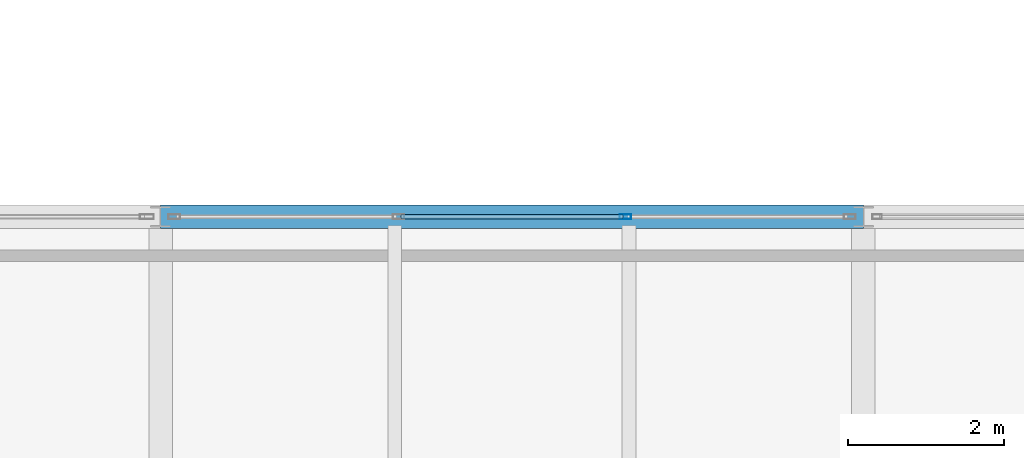
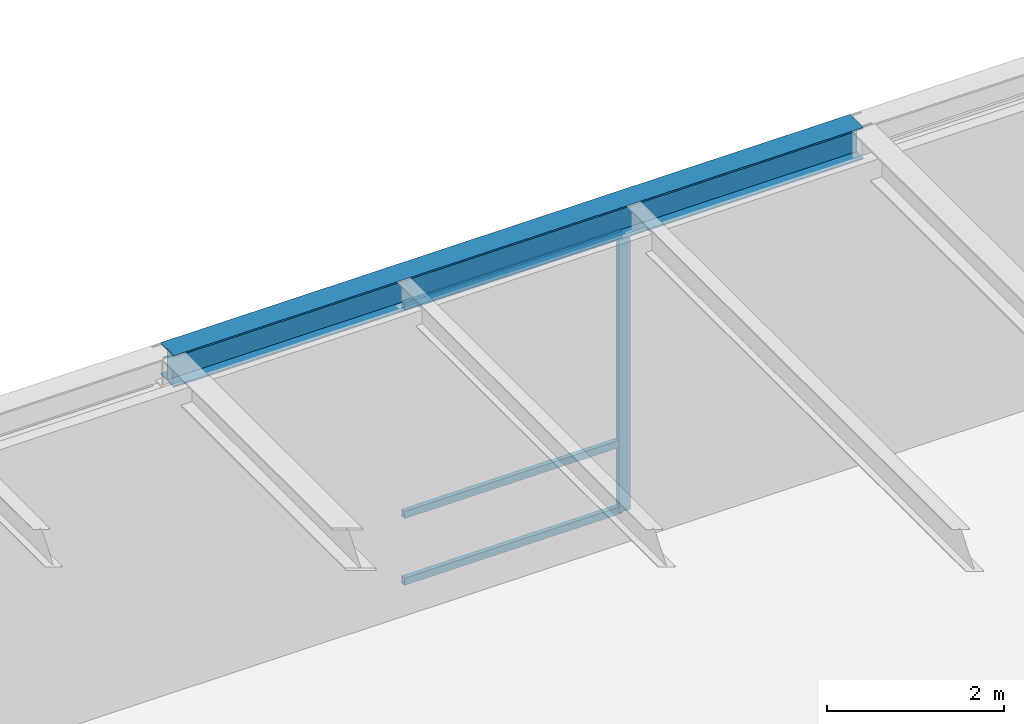
# One storey, part 20 of 142: 4 members, 1 beam, 1 element without a shape of its own.
"""IFC4 building model written with IfcOpenShell, lengths in metres."""

import ifcopenshell
import ifcopenshell.guid

model = None  # the IFC model being written
_history = None  # IfcOwnerHistory: only IFC2X3 demands one
_inside = {}  # id of a spatial element -> (the spatial element, [elements in it])
_under = {}  # id of a project, library or spatial element -> (it, [spatial elements below it])
_declared = {}  # id of a project -> (the project, [libraries it declares])
_typed = {}  # id of a type object -> (the type object, [elements of that type])
_made_of = {}  # id of a material, layer set ... -> (it, [elements and type objects made of it])


def new_model(schema):
    """Start an empty IFC model of exactly this schema.

    Asked for "IFC4X3", IfcOpenShell would pick the latest addendum, in which some entities
    have other attributes; the version numbers below select the first issue.
    IFC2X3 requires an IfcOwnerHistory on every rooted entity: one is made here for all.
    """
    global model, _history
    if schema == "IFC4X3":
        model = ifcopenshell.file(schema_version=(4, 3, 0, 0))
    else:
        model = ifcopenshell.file(schema=schema)
    _inside.clear()
    _under.clear()
    _declared.clear()
    _typed.clear()
    _made_of.clear()
    _history = None
    if model.schema == "IFC2X3":
        org = make("IfcOrganization", Name="unknown")
        user = make(
            "IfcPersonAndOrganization",
            ThePerson=make("IfcPerson", FamilyName="unknown"),
            TheOrganization=org,
        )
        app = make(
            "IfcApplication",
            ApplicationDeveloper=org,
            Version="unknown",
            ApplicationFullName="unknown",
            ApplicationIdentifier="unknown",
        )
        _history = make(
            "IfcOwnerHistory",
            OwningUser=user,
            OwningApplication=app,
            ChangeAction="ADDED",
            CreationDate=0,
        )
    return model


def make(cls, **values):
    """One entity of the class cls with the attributes given. An attribute that is None is left unset."""
    return model.create_entity(
        cls, **{name: value for name, value in values.items() if value is not None}
    )


def rooted(cls, **values):
    """An entity with a GlobalId (a new one), such as an element, a storey or a relation."""
    return make(cls, GlobalId=ifcopenshell.guid.new(), OwnerHistory=_history, **values)


def si_unit(unit_type, name, prefix=None):
    """IfcSIUnit, for example si_unit("LENGTHUNIT", "METRE", prefix="MILLI")."""
    return make("IfcSIUnit", UnitType=unit_type, Prefix=prefix, Name=name)


def assignment(units):
    """IfcUnitAssignment: the units of a project."""
    return None if units is None else make("IfcUnitAssignment", Units=units)


def point(xyz):
    """IfcCartesianPoint."""
    return None if xyz is None else make("IfcCartesianPoint", Coordinates=xyz)


def direction(xyz):
    """IfcDirection."""
    return None if xyz is None else make("IfcDirection", DirectionRatios=xyz)


def frame(location, z_axis=None, x_axis=None):
    """IfcAxis2Placement3D, a coordinate frame: its origin and axes. An axis left out is left unset."""
    return make(
        "IfcAxis2Placement3D",
        Location=point(location),
        Axis=direction(z_axis),
        RefDirection=direction(x_axis),
    )


def frame_2d(location, x_axis=None):
    """IfcAxis2Placement2D, a coordinate frame in the plane: its origin and x axis."""
    return make(
        "IfcAxis2Placement2D", Location=point(location), RefDirection=direction(x_axis)
    )


def origin():
    """The frame at (0, 0, 0) with its axes left unset."""
    return frame((0.0, 0.0, 0.0))


def origin_2d():
    """The frame at (0, 0) in the plane with its x axis left unset."""
    return frame_2d((0.0, 0.0))


def place(relative_to, where):
    """IfcLocalPlacement: puts the frame where relative to a parent placement (None: the world)."""
    return make(
        "IfcLocalPlacement", PlacementRelTo=relative_to, RelativePlacement=where
    )


def context(
    kind, dimensions, precision=None, world=None, true_north=None, identifier=None
):
    """IfcGeometricRepresentationContext, for example the 3D "Model" context."""
    return make(
        "IfcGeometricRepresentationContext",
        ContextIdentifier=identifier,
        ContextType=kind,
        CoordinateSpaceDimension=dimensions,
        Precision=precision,
        WorldCoordinateSystem=world,
        TrueNorth=true_north,
    )


def subcontext(parent, identifier, kind, view, scale=None):
    """IfcGeometricRepresentationSubContext, for example "Body" below "Model"."""
    return make(
        "IfcGeometricRepresentationSubContext",
        ContextIdentifier=identifier,
        ContextType=kind,
        ParentContext=parent,
        TargetScale=scale,
        TargetView=view,
    )


def project(units=None, contexts=None):
    """IfcProject with its units and contexts."""
    return rooted(
        "IfcProject",
        Name="project",
        RepresentationContexts=contexts,
        UnitsInContext=assignment(units),
    )


def spatial(cls, under=None, at=None, **own):
    """A site, building, storey or space (cls), placed at a placement, below another one or the project."""
    s = rooted(cls, ObjectPlacement=at, **own)
    if under is not None:
        _under.setdefault(under.id(), (under, []))[1].append(s)
    return s


def profile(cls, at=None, kind="AREA", **sizes):
    """A parametric profile (cls). Its sizes go by their IFC names, for example OverallWidth=200.0."""
    return make(cls, ProfileType=kind, Position=at, **sizes)


def hollow_rectangle(**sizes):
    """IfcRectangleHollowProfileDef."""
    return profile("IfcRectangleHollowProfileDef", **sizes)


def i_section(**sizes):
    """IfcIShapeProfileDef."""
    return profile("IfcIShapeProfileDef", **sizes)


def extrude(swept, where, along, depth):
    """IfcExtrudedAreaSolid: the profile swept, set in the frame where, extruded along a direction by depth."""
    return make(
        "IfcExtrudedAreaSolid",
        SweptArea=swept,
        Position=where,
        ExtrudedDirection=direction(along),
        Depth=depth,
    )


def shape(context_of_items, identifier, shape_type, items):
    """IfcShapeRepresentation: the items that make up one representation, for example the "Body"."""
    return make(
        "IfcShapeRepresentation",
        ContextOfItems=context_of_items,
        RepresentationIdentifier=identifier,
        RepresentationType=shape_type,
        Items=items,
    )


def material(Name=None, Category=None):
    """IfcMaterial."""
    return make("IfcMaterial", Name=Name, Category=Category)


def layer(
    of_material, thickness, ventilated=None, Name=None, Category=None, Priority=None
):
    """IfcMaterialLayer: one layer of a wall or slab, of a material (None: an air gap)."""
    return make(
        "IfcMaterialLayer",
        Material=of_material,
        LayerThickness=thickness,
        IsVentilated=ventilated,
        Name=Name,
        Category=Category,
        Priority=Priority,
    )


def layer_set(layers, Name=None):
    """IfcMaterialLayerSet."""
    return make("IfcMaterialLayerSet", MaterialLayers=layers, LayerSetName=Name)


def material_profile(
    of_material, cross_section, Name=None, Category=None, Priority=None
):
    """IfcMaterialProfile: a cross section and its material."""
    return make(
        "IfcMaterialProfile",
        Name=Name,
        Material=of_material,
        Profile=cross_section,
        Priority=Priority,
        Category=Category,
    )


def profile_set(profiles, Name=None, composite=None):
    """IfcMaterialProfileSet."""
    return make(
        "IfcMaterialProfileSet",
        Name=Name,
        MaterialProfiles=profiles,
        CompositeProfile=composite,
    )


def made_of(thing, what):
    """Note that an element or type object is made of a material, layer set ...; save() writes the relation."""
    if what is not None:
        _made_of.setdefault(what.id(), (what, []))[1].append(thing)
    return thing


def type_object(cls, material=None, **own):
    """A type object (cls), such as IfcWallType, which elements share."""
    return made_of(rooted(cls, **own), material)


def element(
    cls,
    number,
    at=None,
    inside=None,
    cuts=None,
    type_object=None,
    material=None,
    context=None,
    identifier="Body",
    shape_type=None,
    held_by="IfcProductDefinitionShape",
    body=None,
    shapes=None,
    **own,
):
    """One element of the class cls, such as IfcWall. Its Tag is "e" and its number.

    at: its placement. inside: the storey or other place that contains it. cuts: it is an
    opening in that element (IfcRelVoidsElement). A single representation is given by context,
    identifier, shape_type and body (its items); several are given by shapes. held_by: the class
    of the entity that holds the representations. save() writes the other relations.
    """
    e = rooted(cls, Tag="e%d" % number, ObjectPlacement=at, **own)
    if body is not None:
        shapes = [shape(context, identifier, shape_type, body)]
    if shapes is not None:
        e.Representation = make(held_by, Representations=shapes)
    if inside is not None:
        _inside.setdefault(inside.id(), (inside, []))[1].append(e)
    if cuts is not None:
        rooted(
            "IfcRelVoidsElement", RelatingBuildingElement=cuts, RelatedOpeningElement=e
        )
    if type_object is not None:
        _typed.setdefault(type_object.id(), (type_object, []))[1].append(e)
    return made_of(e, material)


def aggregate(whole, parts):
    """IfcRelAggregates: a whole, such as a stair, and the parts it consists of."""
    return rooted("IfcRelAggregates", RelatingObject=whole, RelatedObjects=parts)


def save(model, path):
    """Write the relations noted so far, then the file.

    IfcRelAggregates (storeys below a building ...), IfcRelContainedInSpatialStructure (elements
    in a storey), IfcRelDefinesByType, IfcRelAssociatesMaterial and IfcRelDeclares: one each for
    every whole, place, type object, material and project.
    """
    for whole, parts in _under.values():
        aggregate(whole, parts)
    for where, things in _inside.values():
        rooted(
            "IfcRelContainedInSpatialStructure",
            RelatedElements=things,
            RelatingStructure=where,
        )
    for kind, things in _typed.values():
        rooted("IfcRelDefinesByType", RelatedObjects=things, RelatingType=kind)
    for what, things in _made_of.values():
        rooted("IfcRelAssociatesMaterial", RelatedObjects=things, RelatingMaterial=what)
    for by, libraries in _declared.values():
        rooted("IfcRelDeclares", RelatingContext=by, RelatedDefinitions=libraries)
    model.write(path)


model = new_model("IFC4")

# Units and contexts
model_context = context("Model", 3, precision=1e-05, world=origin(), true_north=direction((0.0, 1.0)))
body_context = subcontext(model_context, "Body", "Model", "MODEL_VIEW")
ifc_project = project(units=[si_unit("LENGTHUNIT", "METRE"), si_unit("AREAUNIT", "SQUARE_METRE"), si_unit("VOLUMEUNIT", "CUBIC_METRE"), si_unit("PLANEANGLEUNIT", "RADIAN"), si_unit("MASSUNIT", "GRAM", prefix="KILO")], contexts=[model_context])

# Site, building, storey
site_placement = place(None, origin())
site = spatial("IfcSite", under=ifc_project, at=site_placement, CompositionType="ELEMENT")
building_placement = place(site_placement, origin())
building = spatial("IfcBuilding", under=site, at=building_placement, Name="Montelvaro Courts of Justice", CompositionType="ELEMENT")
storey_placement = place(building_placement, frame((0.0, 0.0, 14.39990234375)))
storey = spatial("IfcBuildingStorey", under=building, at=storey_placement, Name="L03", CompositionType="ELEMENT", Elevation=14.39990234375)

# Beam
ifc_material_1 = material(Name="Steel S355", Category="steel")
ifc_material_profile_1 = material_profile(ifc_material_1, i_section(OverallWidth=0.300048828125, OverallDepth=0.43994140625, WebThickness=0.011474609375, FlangeThickness=0.02099609375, at=origin_2d()), Name="HEA 450")
ifc_profile_set_1 = profile_set([ifc_material_profile_1], Name="Steel S355")
beam_type = type_object("IfcBeamType", Name="Beam_HEA450", PredefinedType="USERDEFINED", material=ifc_profile_set_1)
beam_placement = place(storey_placement, frame((27.0, 54.0, 4.080078125), z_axis=(1.0, 0.0, 0.0), x_axis=(0.0, 1.0, 0.0)))
element("IfcBeam", 1, at=beam_placement, inside=storey, type_object=beam_type, Name="Beam B-18 L03", ObjectType="GIRDER", PredefinedType="USERDEFINED", context=body_context, shape_type="SweptSolid", body=[
    extrude(i_section(OverallWidth=0.300048828125, OverallDepth=0.43994140625, WebThickness=0.011474609375, FlangeThickness=0.02099609375, at=origin_2d()), origin(), (0.0, 0.0, 1.0), 9.0),
])

# Curtain wall, members
ifc_material_2 = material(Name="Anodised aluminium EN AW-6063", Category="aluminium")
ifc_layer = layer(ifc_material_2, 0.159912109375)
ifc_layer_set = layer_set([ifc_layer], Name="Anodised aluminium EN AW-6063")
curtain_wall_type = type_object("IfcCurtainWallType", Name="CurtainWall_18_868x418", PredefinedType="USERDEFINED", material=ifc_layer_set)
curtain_wall_placement = place(storey_placement, origin())
curtain_wall = element("IfcCurtainWall", 2, at=curtain_wall_placement, inside=storey, type_object=curtain_wall_type, Name="Curtain Wall CW-18 (L03)", ObjectType="CURTAIN WALL", PredefinedType="USERDEFINED")
ifc_material_profile_2 = material_profile(ifc_material_2, hollow_rectangle(XDim=0.06005859375, YDim=0.14990234375, WallThickness=0.00390625, at=origin_2d()), Name="ALU-M 60x150")
ifc_profile_set_2 = profile_set([ifc_material_profile_2], Name="Anodised aluminium EN AW-6063")
member_type_1 = type_object("IfcMemberType", Name="CurtainWall_Mullion_60x150", PredefinedType="MULLION", material=ifc_profile_set_2)
member_1_placement = place(storey_placement, frame((32.95166015625, 54.0, 0.0), z_axis=(0.0, 0.0, 1.0), x_axis=(0.0, -1.0, 0.0)))
member_1 = element("IfcMember", 3, at=member_1_placement, type_object=member_type_1, Name="CW-18 mullion 2", PredefinedType="MULLION", context=body_context, shape_type="SweptSolid", body=[
    extrude(hollow_rectangle(XDim=0.06005859375, YDim=0.14990234375, WallThickness=0.00390625, at=origin_2d()), origin(), (0.0, 0.0, 1.0), 3.85498046875),
])
ifc_material_profile_3 = material_profile(ifc_material_2, hollow_rectangle(XDim=0.06005859375, YDim=0.10009765625, WallThickness=0.00341796875, at=origin_2d()), Name="ALU-T 60x100")
ifc_profile_set_3 = profile_set([ifc_material_profile_3], Name="Anodised aluminium EN AW-6063")
member_type_2 = type_object("IfcMemberType", Name="CurtainWall_Transom_60x100", PredefinedType="USERDEFINED", material=ifc_profile_set_3)
member_2_placement = place(storey_placement, frame((32.921630859375, 54.0, 0.030029296875), z_axis=(-1.0, 0.0, 0.0), x_axis=(0.0, -1.0, 0.0)))
member_2 = element("IfcMember", 4, at=member_2_placement, type_object=member_type_2, Name="CW-18 transom 2.1", ObjectType="TRANSOM", PredefinedType="USERDEFINED", context=body_context, shape_type="SweptSolid", body=[
    extrude(hollow_rectangle(XDim=0.06005859375, YDim=0.10009765625, WallThickness=0.00341796875, at=origin_2d()), origin(), (0.0, 0.0, 1.0), 2.84326171875),
])
member_3_placement = place(storey_placement, frame((32.921630859375, 54.0, 0.9501953125), z_axis=(-1.0, 0.0, 0.0), x_axis=(0.0, -1.0, 0.0)))
member_3 = element("IfcMember", 5, at=member_3_placement, type_object=member_type_2, Name="CW-18 transom 2.2", ObjectType="TRANSOM", PredefinedType="USERDEFINED", context=body_context, shape_type="SweptSolid", body=[
    extrude(hollow_rectangle(XDim=0.06005859375, YDim=0.10009765625, WallThickness=0.00341796875, at=origin_2d()), origin(), (0.0, 0.0, 1.0), 2.84326171875),
])
member_4_placement = place(storey_placement, frame((32.921630859375, 54.0, 3.8251953125), z_axis=(-1.0, 0.0, 0.0), x_axis=(0.0, -1.0, 0.0)))
member_4 = element("IfcMember", 6, at=member_4_placement, type_object=member_type_2, Name="CW-18 transom 2.3", ObjectType="TRANSOM", PredefinedType="USERDEFINED", context=body_context, shape_type="SweptSolid", body=[
    extrude(hollow_rectangle(XDim=0.06005859375, YDim=0.10009765625, WallThickness=0.00341796875, at=origin_2d()), origin(), (0.0, 0.0, 1.0), 2.84326171875),
])
aggregate(curtain_wall, [member_1, member_2, member_3, member_4])

save(model, "model.ifc")
